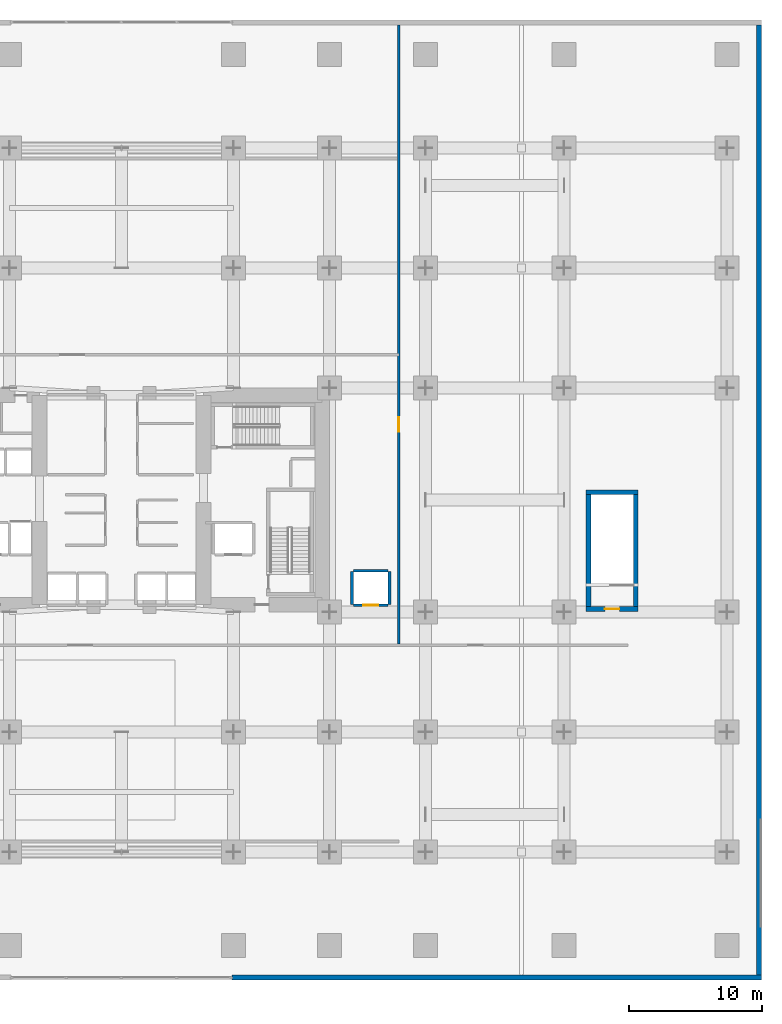
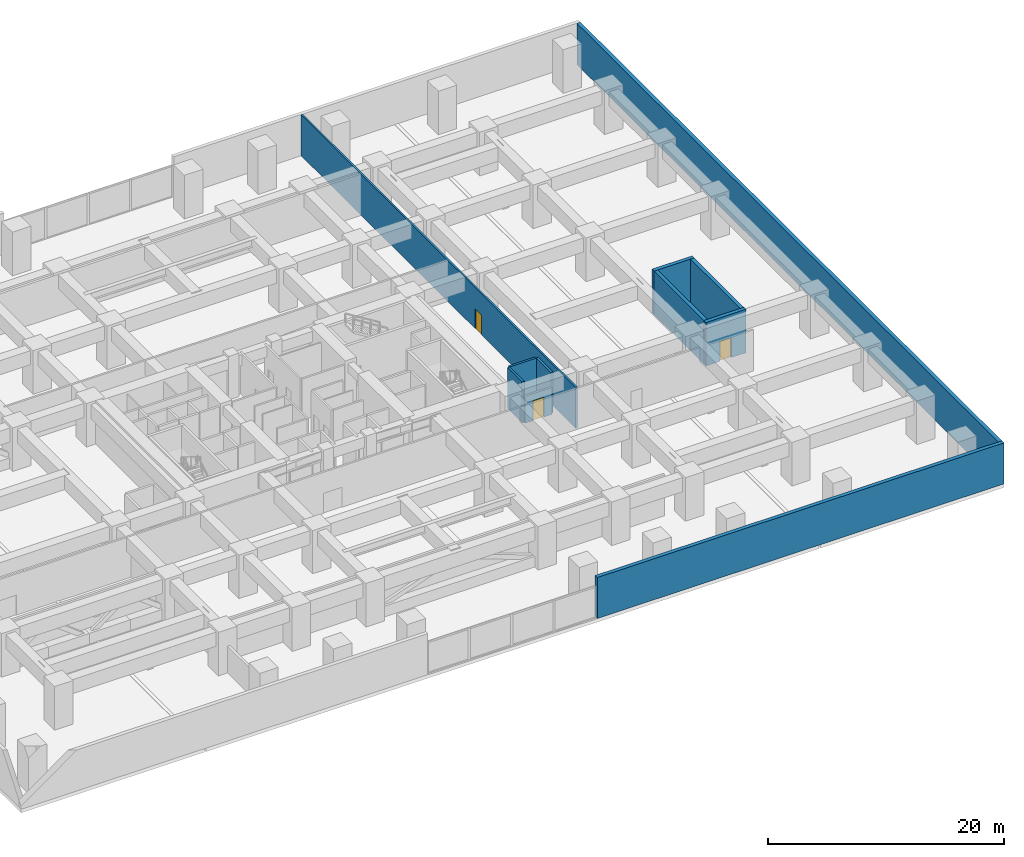
# One storey, part 19 of 25: 11 walls, 3 doors, 3 openings.
"""IFC4 building model written with IfcOpenShell, lengths in metres."""

from ifc_helpers import new_model, si_unit, direction, frame, frame_2d, origin, place, context, subcontext, project, spatial, rectangle, extrude, material, layer, layer_set, type_object, element, fill, save


model = new_model("IFC4")

# Units and contexts
model_context = context("Model", 3, precision=1e-05, world=origin(), true_north=direction((0.0, 1.0)))
body_context = subcontext(model_context, "Body", "Model", "MODEL_VIEW")
ifc_project = project(units=[si_unit("LENGTHUNIT", "METRE"), si_unit("AREAUNIT", "SQUARE_METRE"), si_unit("VOLUMEUNIT", "CUBIC_METRE"), si_unit("PLANEANGLEUNIT", "RADIAN"), si_unit("MASSUNIT", "GRAM", prefix="KILO")], contexts=[model_context])

# Site, building, storey
site_placement = place(None, origin())
site = spatial("IfcSite", under=ifc_project, at=site_placement, CompositionType="ELEMENT")
building_placement = place(site_placement, origin())
building = spatial("IfcBuilding", under=site, at=building_placement, Name="Kiyonajd Concourse Tower", CompositionType="ELEMENT")
storey_placement = place(building_placement, frame((0.0, 0.0, 17.10009765625)))
storey = spatial("IfcBuildingStorey", under=building, at=storey_placement, Name="L05", CompositionType="ELEMENT", Elevation=17.10009765625)

# Walls
ifc_material_1 = material(Name="Precast concrete C50/60", Category="concrete")
ifc_layer_1 = layer(ifc_material_1, 0.360107421875)
ifc_layer_set_1 = layer_set([ifc_layer_1], Name="Precast concrete C50/60")
wall_type_1 = type_object("IfcWallType", Name="WL-EXT-360", PredefinedType="SOLIDWALL", material=ifc_layer_set_1)
wall_1_placement = place(storey_placement, frame((95.820068359375, 71.639892578125, 0.0), z_axis=(0.0, 0.0, 1.0), x_axis=(0.0, -1.0, 0.0)))
element("IfcWall", 1, at=wall_1_placement, inside=storey, type_object=wall_type_1, Name="L05 East Podium Limestone Facade Wall", PredefinedType="SOLIDWALL", context=body_context, shape_type="SweptSolid", body=[
    extrude(rectangle(XDim=71.27978515625, YDim=0.360107421875, at=frame_2d((35.639892578125, 0.0))), origin(), (0.0, 0.0, 1.0), 4.239990234375),
])
wall_2_placement = place(storey_placement, frame((96.0, 0.179931640625, 0.0), z_axis=(0.0, 0.0, 1.0), x_axis=(-1.0, 0.0, 0.0)))
element("IfcWall", 2, at=wall_2_placement, inside=storey, type_object=wall_type_1, Name="L05 South East Podium Facade Wall", PredefinedType="SOLIDWALL", context=body_context, shape_type="SweptSolid", body=[
    extrude(rectangle(XDim=39.719970703125, YDim=0.360107421875, at=frame_2d((19.85986328125, 0.0))), origin(), (0.0, 0.0, 1.0), 4.239990234375),
])

# Wall, opening, door
ifc_material_2 = material(Name="Gypsum Board on Cold-Formed Steel Stud", Category="steel")
ifc_layer_2 = layer(ifc_material_2, 0.2099609375)
ifc_layer_set_2 = layer_set([ifc_layer_2], Name="Gypsum Board on Cold-Formed Steel Stud")
wall_type_2 = type_object("IfcWallType", Name="WL-SHAFT-210", PredefinedType="PARTITIONING", material=ifc_layer_set_2)
wall_3_placement = place(storey_placement, frame((65.39990234375, 28.10009765625, 0.0), z_axis=(0.0, 0.0, 1.0), x_axis=(1.0, 0.0, 0.0)))
wall_3 = element("IfcWall", 3, at=wall_3_placement, inside=storey, type_object=wall_type_2, Name="L05 Shaft Enclosure Wall", PredefinedType="PARTITIONING", context=body_context, shape_type="SweptSolid", body=[
    extrude(rectangle(XDim=2.60009765625, YDim=0.2099609375, at=frame_2d((1.300048828125, 0.0))), origin(), (0.0, 0.0, 1.0), 2.77490234375),
])
opening_1_placement = place(wall_3_placement, frame((0.75, 0.0, 0.0)))
opening_1 = element("IfcOpeningElement", 4, at=opening_1_placement, cuts=wall_3, Name="Opening LD1", PredefinedType="OPENING", context=body_context, shape_type="SweptSolid", body=[
    extrude(rectangle(XDim=1.10009765625, YDim=2.0400390625, at=frame_2d((0.550048828125, 1.02001953125))), frame((0.0, 0.114990234375, 0.0), z_axis=(0.0, -1.0, 0.0), x_axis=(1.0, 0.0, 0.0)), (0.0, 0.0, 1.0), 0.22998046875),
])
ifc_material_3 = material(Name="Brushed Stainless Steel Cab Assembly", Category="steel")
door_type_1 = type_object("IfcDoorType", Name="DR-LD-1100", OperationType="DOUBLE_DOOR_SLIDING", PredefinedType="DOOR", material=ifc_material_3)
door_1_placement = place(opening_1_placement, origin())
door_1 = element("IfcDoor", 5, at=door_1_placement, inside=storey, type_object=door_type_1, Name="L05 Lift PD2 Sliding Landing Door", OperationType="DOUBLE_DOOR_SLIDING", OverallHeight=2.0400390625, OverallWidth=1.10009765625, PredefinedType="DOOR", context=body_context, shape_type="SweptSolid", body=[
    extrude(rectangle(XDim=1.10009765625, YDim=2.0400390625, at=frame_2d((0.550048828125, 1.02001953125))), frame((0.0, 0.02490234375, 0.0), z_axis=(0.0, -1.0, 0.0), x_axis=(1.0, 0.0, 0.0)), (0.0, 0.0, 1.0), 0.050048828125),
])
fill(opening_1, door_1)

# Walls
wall_4_placement = place(storey_placement, frame((65.39990234375, 30.699951171875, 0.0), z_axis=(0.0, 0.0, 1.0), x_axis=(1.0, 0.0, 0.0)))
element("IfcWall", 6, at=wall_4_placement, inside=storey, type_object=wall_type_2, Name="L05 Shaft Enclosure Wall", PredefinedType="PARTITIONING", context=body_context, shape_type="SweptSolid", body=[
    extrude(rectangle(XDim=2.60009765625, YDim=0.2099609375, at=frame_2d((1.300048828125, 0.0))), origin(), (0.0, 0.0, 1.0), 4.239990234375),
])
for number, where, z_axis, x_axis, name in (
    (7, (65.300048828125, 28.159912109375, 0.0), (0.0, 0.0, 1.0), (0.0, 1.0, 0.0), "L05 Shaft Enclosure Wall"),
    (8, (68.10009765625, 28.159912109375, 0.0), (0.0, 0.0, 1.0), (0.0, 1.0, 0.0), "L05 Shaft Enclosure Wall"),
):
    element("IfcWall", number, at=place(storey_placement, frame(where, z_axis=z_axis, x_axis=x_axis)), inside=storey, type_object=wall_type_2, Name=name, PredefinedType="PARTITIONING", context=body_context, shape_type="SweptSolid", body=[
        extrude(rectangle(XDim=2.47998046875, YDim=0.2099609375, at=frame_2d((1.239990234375, 0.0))), origin(), (0.0, 0.0, 1.0), 4.239990234375),
    ])

# Wall, opening, door
ifc_layer_3 = layer(ifc_material_2, 0.169921875)
ifc_layer_set_3 = layer_set([ifc_layer_3], Name="Gypsum Board on Cold-Formed Steel Stud")
wall_type_3 = type_object("IfcWallType", Name="WL-SMK-170", PredefinedType="PARTITIONING", material=ifc_layer_set_3)
wall_5_placement = place(storey_placement, frame((68.800048828125, 25.18701171875, 0.0), z_axis=(0.0, 0.0, 1.0), x_axis=(0.0, 1.0, 0.0)))
wall_5 = element("IfcWall", 9, at=wall_5_placement, inside=storey, type_object=wall_type_3, Name="L05 Interior Partition Wall", PredefinedType="PARTITIONING", context=body_context, shape_type="SweptSolid", body=[
    extrude(rectangle(XDim=46.447998046875, YDim=0.169921875, at=frame_2d((23.22412109375, 0.0))), origin(), (0.0, 0.0, 1.0), 4.239990234375),
])
opening_2_placement = place(wall_5_placement, frame((15.9130859375, 0.0, 0.0)))
opening_2 = element("IfcOpeningElement", 10, at=opening_2_placement, cuts=wall_5, Name="Opening DF2", PredefinedType="OPENING", context=body_context, shape_type="SweptSolid", body=[
    extrude(rectangle(XDim=1.10009765625, YDim=2.050048828125, at=frame_2d((0.550048828125, 1.02490234375))), frame((0.0, 0.094970703125, 0.0), z_axis=(0.0, -1.0, 0.0), x_axis=(1.0, 0.0, 0.0)), (0.0, 0.0, 1.0), 0.18994140625),
])
door_type_2 = type_object("IfcDoorType", Name="DR-FD90-1100", OperationType="NOTDEFINED", PredefinedType="DOOR", material=ifc_material_3)
door_2_placement = place(opening_2_placement, origin())
door_2 = element("IfcDoor", 11, at=door_2_placement, inside=storey, type_object=door_type_2, Name="L05 Interior Door", OperationType="SINGLE_SWING_LEFT", OverallHeight=2.050048828125, OverallWidth=1.10009765625, PredefinedType="DOOR", context=body_context, shape_type="SweptSolid", body=[
    extrude(rectangle(XDim=1.10009765625, YDim=2.050048828125, at=frame_2d((0.550048828125, 1.02490234375))), frame((0.0, 0.02490234375, 0.0), z_axis=(0.0, -1.0, 0.0), x_axis=(1.0, 0.0, 0.0)), (0.0, 0.0, 1.0), 0.050048828125),
])
fill(opening_2, door_2)

ifc_material_4 = material(Name="Concrete C50/60", Category="concrete")
ifc_layer_4 = layer(ifc_material_4, 0.35009765625)
ifc_layer_set_4 = layer_set([ifc_layer_4], Name="Concrete C50/60")
wall_type_4 = type_object("IfcWallType", Name="WL-STAIR-350", PredefinedType="SHEAR", material=ifc_layer_set_4)
wall_6_placement = place(storey_placement, frame((82.85009765625, 27.824951171875, 0.0), z_axis=(0.0, 0.0, 1.0), x_axis=(1.0, 0.0, 0.0)))
wall_6 = element("IfcWall", 12, at=wall_6_placement, inside=storey, type_object=wall_type_4, Name="L05 Stair ST5 Structural South Wall", PredefinedType="SHEAR", context=body_context, shape_type="SweptSolid", body=[
    extrude(rectangle(XDim=3.89990234375, YDim=0.35009765625, at=frame_2d((1.949951171875, 0.0))), origin(), (0.0, 0.0, 1.0), 4.5),
])
opening_3_placement = place(wall_6_placement, frame((1.39990234375, 0.0, 0.0)))
opening_3 = element("IfcOpeningElement", 13, at=opening_3_placement, cuts=wall_6, Name="Opening DF2", PredefinedType="OPENING", context=body_context, shape_type="SweptSolid", body=[
    extrude(rectangle(XDim=1.10009765625, YDim=2.050048828125, at=frame_2d((0.550048828125, 1.02490234375))), frame((0.0, 0.18505859375, 0.0), z_axis=(0.0, -1.0, 0.0), x_axis=(1.0, 0.0, 0.0)), (0.0, 0.0, 1.0), 0.3701171875),
])
door_3_placement = place(opening_3_placement, origin())
door_3 = element("IfcDoor", 14, at=door_3_placement, inside=storey, type_object=door_type_2, Name="L05 Stair ST5 Fire Door", OperationType="SINGLE_SWING_RIGHT", OverallHeight=2.050048828125, OverallWidth=1.10009765625, PredefinedType="DOOR", context=body_context, shape_type="SweptSolid", body=[
    extrude(rectangle(XDim=1.10009765625, YDim=2.050048828125, at=frame_2d((0.550048828125, 1.02490234375))), frame((0.0, 0.02490234375, 0.0), z_axis=(0.0, -1.0, 0.0), x_axis=(1.0, 0.0, 0.0)), (0.0, 0.0, 1.0), 0.050048828125),
])
fill(opening_3, door_3)

# Walls
wall_7_placement = place(storey_placement, frame((82.85009765625, 36.574951171875, 0.0), z_axis=(0.0, 0.0, 1.0), x_axis=(1.0, 0.0, 0.0)))
element("IfcWall", 15, at=wall_7_placement, inside=storey, type_object=wall_type_4, Name="L05 Stair ST5 Structural North Wall", PredefinedType="SHEAR", context=body_context, shape_type="SweptSolid", body=[
    extrude(rectangle(XDim=3.89990234375, YDim=0.35009765625, at=frame_2d((1.949951171875, 0.0))), origin(), (0.0, 0.0, 1.0), 4.5),
])
for number, where, z_axis, x_axis, name in (
    (16, (83.02490234375, 28.0, 0.0), (0.0, 0.0, 1.0), (0.0, 1.0, 0.0), "L05 Stair ST5 Structural West Wall"),
    (17, (86.574951171875, 28.0, 0.0), (0.0, 0.0, 1.0), (0.0, 1.0, 0.0), "L05 Stair ST5 Structural East Wall"),
):
    element("IfcWall", number, at=place(storey_placement, frame(where, z_axis=z_axis, x_axis=x_axis)), inside=storey, type_object=wall_type_4, Name=name, PredefinedType="SHEAR", context=body_context, shape_type="SweptSolid", body=[
        extrude(rectangle(XDim=8.39990234375, YDim=0.35009765625, at=frame_2d((4.199951171875, 0.0))), origin(), (0.0, 0.0, 1.0), 4.5),
    ])

save(model, "model.ifc")
